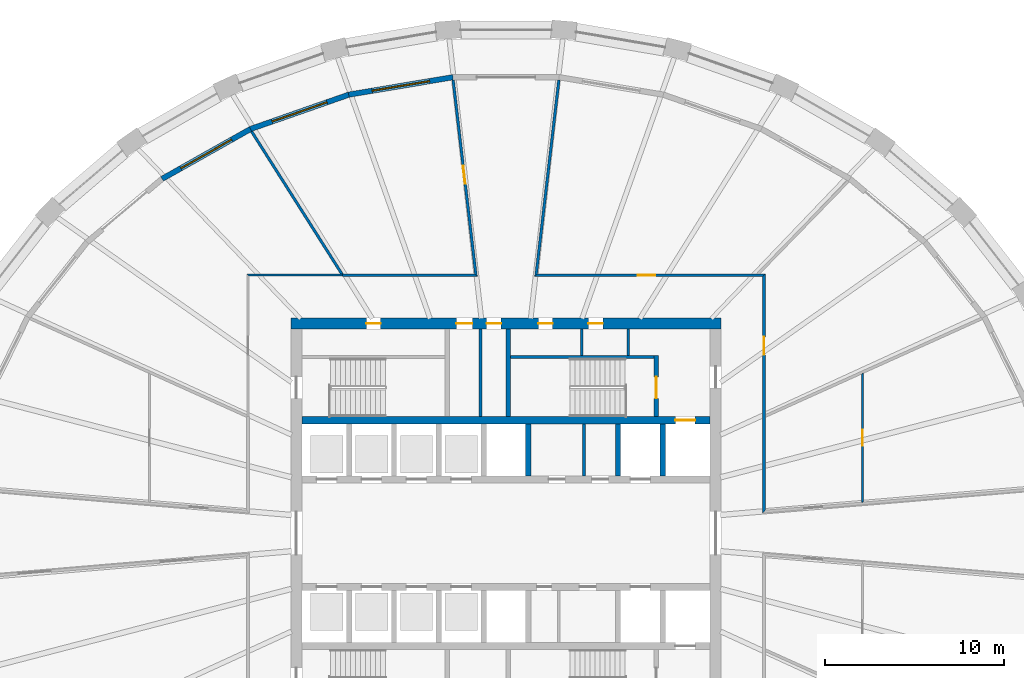
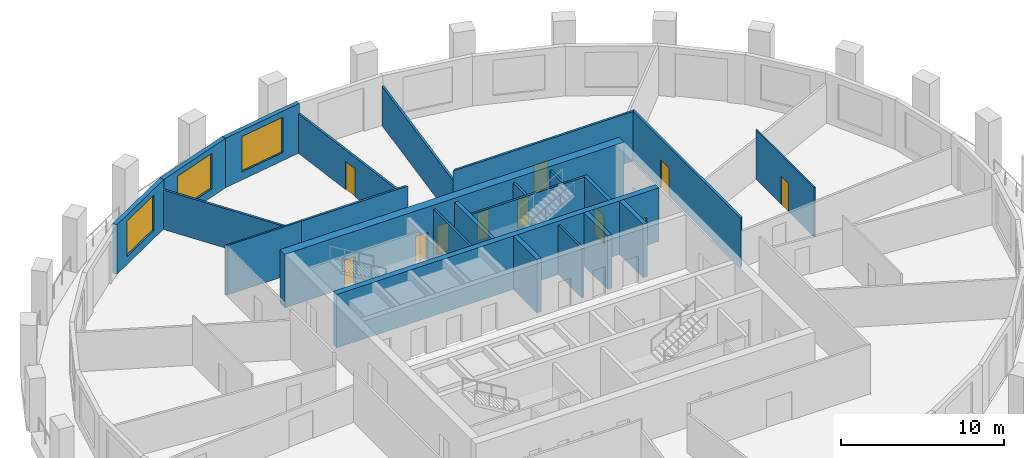
# One storey, part 6 of 10: 23 walls, 11 doors, 3 windows, 14 openings.
"""IFC4 building model written with IfcOpenShell, lengths in metres."""

from ifc_helpers import new_model, si_unit, direction, frame, frame_2d, origin, place, context, subcontext, project, spatial, polyline, rectangle, outline, extrude, material, layer, layer_set, type_object, element, fill, save


model = new_model("IFC4")

# Units and contexts
model_context = context("Model", 3, precision=1e-05, world=origin(), true_north=direction((0.0, 1.0)))
body_context = subcontext(model_context, "Body", "Model", "MODEL_VIEW")
ifc_project = project(units=[si_unit("LENGTHUNIT", "METRE"), si_unit("AREAUNIT", "SQUARE_METRE"), si_unit("VOLUMEUNIT", "CUBIC_METRE"), si_unit("PLANEANGLEUNIT", "RADIAN"), si_unit("MASSUNIT", "GRAM", prefix="KILO")], contexts=[model_context])

# Site, building, storey
site_placement = place(None, origin())
site = spatial("IfcSite", under=ifc_project, at=site_placement, CompositionType="ELEMENT")
building_placement = place(site_placement, origin())
building = spatial("IfcBuilding", under=site, at=building_placement, Name="Halqa Exchange Tower", CompositionType="ELEMENT")
storey_placement = place(building_placement, frame((0.0, 0.0, 178.89990234375)))
storey = spatial("IfcBuildingStorey", under=building, at=storey_placement, Name="L40", CompositionType="ELEMENT", Elevation=178.89990234375)

# Walls
ifc_material_1 = material(Name="Fire-rated gypsum board")
ifc_layer_1 = layer(ifc_material_1, 0.14990234375)
ifc_layer_set_1 = layer_set([ifc_layer_1], Name="Fire-rated gypsum board")
wall_type_1 = type_object("IfcWallType", Name="Fire partition EI 60 150", PredefinedType="PARTITIONING", material=ifc_layer_set_1)
wall_1_placement = place(storey_placement, frame((-9.14208984375, 14.43505859375, 0.0), z_axis=(0.0, 0.0, 1.0), x_axis=(-0.535245013247, 0.844696854377, 0.0)))
element("IfcWall", 1, at=wall_1_placement, inside=storey, type_object=wall_type_1, Name="L40-PWL-009", PredefinedType="PARTITIONING", context=body_context, shape_type="SweptSolid", body=[
    extrude(outline(polyline([(0.0, -0.074951171875), (1.88623046875, -0.074951171875), (3.772705078125, -0.074951171875), (5.658935546875, -0.074951171875), (7.545166015625, -0.074951171875), (9.431640625, -0.074951171875), (9.44873046875, -0.000732421875), (9.452392578125, 0.068603515625), (9.452392578125, 0.074951171875), (7.577392578125, 0.074951171875), (5.7021484375, 0.074951171875), (3.8271484375, 0.074951171875), (1.9521484375, 0.074951171875), (0.076904296875, 0.074951171875), (0.00927734375, -0.031982421875), (0.02197265625, -0.0400390625), (0.0, -0.07470703125), (0.0, -0.074951171875)])), origin(), (0.0, 0.0, 1.0), 2.947021484375),
])
wall_2_placement = place(storey_placement, frame((-9.1201171875, 14.39990234375, 0.0), z_axis=(0.0, 0.0, 1.0), x_axis=(1.0, 0.0, 0.0)))
element("IfcWall", 2, at=wall_2_placement, inside=storey, type_object=wall_type_1, Name="L40-PWL-010", PredefinedType="PARTITIONING", context=body_context, shape_type="SweptSolid", body=[
    extrude(outline(polyline([(7.5244140625, -0.074951171875), (7.5244140625, -0.074951171875), (7.35595703125, 0.074951171875), (5.51708984375, 0.074951171875), (3.677978515625, 0.074951171875), (1.839111328125, 0.074951171875), (0.0, 0.074951171875), (0.0, -0.074951171875), (1.881103515625, -0.074951171875), (3.76220703125, -0.074951171875), (5.643310546875, -0.074951171875), (7.5244140625, -0.074951171875)])), origin(), (0.0, 0.0, 1.0), 3.7001953125),
])

# Wall, opening, door
wall_3_placement = place(storey_placement, frame((-1.670166015625, 14.31640625, 0.0), z_axis=(0.0, 0.0, 1.0), x_axis=(-0.116172056535, 0.993229104125, 0.0)))
wall_3 = element("IfcWall", 3, at=wall_3_placement, inside=storey, type_object=wall_type_1, Name="L40-PWL-013", PredefinedType="PARTITIONING", context=body_context, shape_type="SweptSolid", body=[
    extrude(outline(polyline([(0.0, -0.074951171875), (1.8408203125, -0.074951171875), (3.681884765625, -0.074951171875), (5.522705078125, -0.074951171875), (7.363525390625, -0.074951171875), (9.20458984375, -0.074951171875), (11.04541015625, -0.074951171875), (11.0498046875, -0.037109375), (11.0498046875, 0.074951171875), (9.236328125, 0.074951171875), (7.422607421875, 0.074951171875), (5.609130859375, 0.074951171875), (3.79541015625, 0.074951171875), (1.98193359375, 0.074951171875), (0.16845703125, 0.074951171875), (0.084228515625, 0.0), (0.0, -0.074951171875), (0.0, -0.074951171875)])), origin(), (0.0, 0.0, 1.0), 2.947021484375),
])
opening_1_placement = place(wall_3_placement, frame((5.222412109375, 0.0, 0.0)))
opening_1 = element("IfcOpeningElement", 4, at=opening_1_placement, cuts=wall_3, Name="Opening 12-01", PredefinedType="OPENING", context=body_context, shape_type="SweptSolid", body=[
    extrude(rectangle(XDim=1.0, YDim=2.10009765625, at=frame_2d((0.5, 1.050048828125))), frame((0.0, 0.0869140625, 0.0), z_axis=(0.0, -1.0, 0.0), x_axis=(1.0, 0.0, 0.0)), (0.0, 0.0, 1.0), 0.173828125),
])
ifc_material_2 = material(Name="Steel fire door leaf", Category="steel")
door_type_1 = type_object("IfcDoorType", Name="Fire door FD30S 1000 x 2100", OperationType="SINGLE_SWING_LEFT", PredefinedType="DOOR", material=ifc_material_2)
door_1_placement = place(opening_1_placement, origin())
door_1 = element("IfcDoor", 5, at=door_1_placement, inside=storey, type_object=door_type_1, Name="L40-IDR-001", OperationType="SINGLE_SWING_LEFT", OverallHeight=2.10009765625, OverallWidth=1.0, PredefinedType="DOOR", context=body_context, shape_type="SweptSolid", body=[
    extrude(rectangle(XDim=1.0, YDim=2.10009765625, at=frame_2d((0.5, 1.050048828125))), frame((0.0, 0.02490234375, 0.0), z_axis=(0.0, -1.0, 0.0), x_axis=(1.0, 0.0, 0.0)), (0.0, 0.0, 1.0), 0.050048828125),
])
fill(opening_1, door_1)

wall_4_placement = place(storey_placement, frame((1.595703125, 14.39990234375, 0.0), z_axis=(0.0, 0.0, 1.0), x_axis=(1.0, 0.0, 0.0)))
wall_4 = element("IfcWall", 6, at=wall_4_placement, inside=storey, type_object=wall_type_1, Name="L40-PWL-015", PredefinedType="PARTITIONING", context=body_context, shape_type="SweptSolid", body=[
    extrude(outline(polyline([(0.0, -0.074951171875), (1.818359375, -0.074951171875), (3.636962890625, -0.074951171875), (5.455322265625, -0.074951171875), (7.27392578125, -0.074951171875), (9.09228515625, -0.074951171875), (10.910888671875, -0.074951171875), (12.729248046875, -0.074951171875), (12.879150390625, 0.074951171875), (11.063232421875, 0.074951171875), (9.24755859375, 0.074951171875), (7.431640625, 0.074951171875), (5.615966796875, 0.074951171875), (3.800048828125, 0.074951171875), (1.984130859375, 0.074951171875), (0.16845703125, 0.074951171875), (0.0, -0.074951171875), (0.0, -0.074951171875)])), origin(), (0.0, 0.0, 1.0), 3.7001953125),
])
opening_2_placement = place(wall_4_placement, frame((5.744384765625, 0.0, 0.0)))
opening_2 = element("IfcOpeningElement", 7, at=opening_2_placement, cuts=wall_4, Name="Opening 12-10", PredefinedType="OPENING", context=body_context, shape_type="SweptSolid", body=[
    extrude(rectangle(XDim=1.0, YDim=2.10009765625, at=frame_2d((0.5, 1.050048828125))), frame((0.0, 0.0869140625, 0.0), z_axis=(0.0, -1.0, 0.0), x_axis=(1.0, 0.0, 0.0)), (0.0, 0.0, 1.0), 0.173828125),
])
door_2_placement = place(opening_2_placement, origin())
door_2 = element("IfcDoor", 8, at=door_2_placement, inside=storey, type_object=door_type_1, Name="L40-IDR-010", OperationType="SINGLE_SWING_RIGHT", OverallHeight=2.10009765625, OverallWidth=1.0, PredefinedType="DOOR", context=body_context, shape_type="SweptSolid", body=[
    extrude(rectangle(XDim=1.0, YDim=2.10009765625, at=frame_2d((0.5, 1.050048828125))), frame((0.0, 0.02490234375, 0.0), z_axis=(0.0, -1.0, 0.0), x_axis=(1.0, 0.0, 0.0)), (0.0, 0.0, 1.0), 0.050048828125),
])
fill(opening_2, door_2)

# Wall
wall_5_placement = place(storey_placement, frame((2.953857421875, 25.29150390625, 0.0), z_axis=(0.0, 0.0, 1.0), x_axis=(-0.116172056535, -0.993229104125, 0.0)))
element("IfcWall", 9, at=wall_5_placement, inside=storey, type_object=wall_type_1, Name="L40-PWL-016", PredefinedType="PARTITIONING", context=body_context, shape_type="SweptSolid", body=[
    extrude(outline(polyline([(11.0498046875, -0.074951171875), (11.0498046875, -0.07470703125), (10.9658203125, 0.0), (10.881591796875, 0.074951171875), (9.06787109375, 0.074951171875), (7.25439453125, 0.074951171875), (5.440673828125, 0.074951171875), (3.627197265625, 0.074951171875), (1.8134765625, 0.074951171875), (0.0, 0.074951171875), (0.0, -0.0361328125), (0.004638671875, -0.074951171875), (1.845458984375, -0.074951171875), (3.686279296875, -0.074951171875), (5.527099609375, -0.074951171875), (7.3681640625, -0.074951171875), (9.208984375, -0.074951171875), (11.0498046875, -0.074951171875)])), origin(), (0.0, 0.0, 1.0), 2.947021484375),
])

# Wall, opening, door
wall_6_placement = place(storey_placement, frame((14.39990234375, 1.118408203125, 0.0), z_axis=(0.0, 0.0, 1.0), x_axis=(0.0, 1.0, 0.0)))
wall_6 = element("IfcWall", 10, at=wall_6_placement, inside=storey, type_object=wall_type_1, Name="L40-PWL-022", PredefinedType="PARTITIONING", context=body_context, shape_type="SweptSolid", body=[
    extrude(outline(polyline([(0.162841796875, -0.074951171875), (2.047607421875, -0.074951171875), (3.9326171875, -0.074951171875), (5.8173828125, -0.074951171875), (7.7021484375, -0.074951171875), (9.5869140625, -0.074951171875), (11.4716796875, -0.074951171875), (13.3564453125, -0.074951171875), (13.20654296875, 0.074951171875), (11.31982421875, 0.074951171875), (9.433349609375, 0.074951171875), (7.546630859375, 0.074951171875), (5.659912109375, 0.074951171875), (3.7734375, 0.074951171875), (1.88671875, 0.074951171875), (0.0, 0.074951171875), (0.162841796875, -0.074951171875)])), origin(), (0.0, 0.0, 1.0), 3.7001953125),
])
opening_3_placement = place(wall_6_placement, frame((8.83154296875, 0.0, 0.0)))
opening_3 = element("IfcOpeningElement", 11, at=opening_3_placement, cuts=wall_6, Name="Opening 12-09", PredefinedType="OPENING", context=body_context, shape_type="SweptSolid", body=[
    extrude(rectangle(XDim=1.0, YDim=2.10009765625, at=frame_2d((0.5, 1.050048828125))), frame((0.0, 0.0869140625, 0.0), z_axis=(0.0, -1.0, 0.0), x_axis=(1.0, 0.0, 0.0)), (0.0, 0.0, 1.0), 0.173828125),
])
door_3_placement = place(opening_3_placement, frame((1.0, 0.0, 0.0), z_axis=(0.0, 0.0, 1.0), x_axis=(-1.0, 0.0, 0.0)))
door_3 = element("IfcDoor", 12, at=door_3_placement, inside=storey, type_object=door_type_1, Name="L40-IDR-009", OperationType="SINGLE_SWING_LEFT", OverallHeight=2.10009765625, OverallWidth=1.0, PredefinedType="DOOR", context=body_context, shape_type="SweptSolid", body=[
    extrude(rectangle(XDim=1.0, YDim=2.10009765625, at=frame_2d((0.5, 1.050048828125))), frame((0.0, 0.02490234375, 0.0), z_axis=(0.0, -1.0, 0.0), x_axis=(1.0, 0.0, 0.0)), (0.0, 0.0, 1.0), 0.050048828125),
])
fill(opening_3, door_3)

# Wall
ifc_material_3 = material(Name="Fire-rated glazing", Category="glass")
ifc_layer_2 = layer(ifc_material_3, 0.1201171875)
ifc_layer_set_2 = layer_set([ifc_layer_2], Name="Fire-rated glazing")
wall_type_2 = type_object("IfcWallType", Name="Glazed fire partition EI 60 120", PredefinedType="PARTITIONING", material=ifc_layer_set_2)
wall_7_placement = place(storey_placement, frame((-14.4599609375, 14.39990234375, 0.0), z_axis=(0.0, 0.0, 1.0), x_axis=(1.0, 0.0, 0.0)))
element("IfcWall", 13, at=wall_7_placement, inside=storey, type_object=wall_type_2, Name="L40-PWL-008", PredefinedType="PARTITIONING", context=body_context, shape_type="SweptSolid", body=[
    extrude(outline(polyline([(5.33984375, 0.06005859375), (3.559814453125, 0.06005859375), (1.780029296875, 0.06005859375), (0.0, 0.06005859375), (0.1201171875, -0.06005859375), (1.860107421875, -0.06005859375), (3.599853515625, -0.06005859375), (5.33984375, -0.06005859375), (5.33984375, 0.06005859375)])), origin(), (0.0, 0.0, 1.0), 3.7001953125),
])

# Wall, opening, door
ifc_material_4 = material(Name="Gypsum board")
ifc_layer_3 = layer(ifc_material_4, 0.10009765625)
ifc_layer_set_3 = layer_set([ifc_layer_3], Name="Gypsum board")
wall_type_3 = type_object("IfcWallType", Name="Partition 100 gypsum", PredefinedType="PARTITIONING", material=ifc_layer_set_3)
wall_8_placement = place(storey_placement, frame((19.89990234375, 8.919921875, 0.0), z_axis=(0.0, 0.0, 1.0), x_axis=(0.0, -1.0, 0.0)))
wall_8 = element("IfcWall", 14, at=wall_8_placement, inside=storey, type_object=wall_type_3, Name="L40-PWL-027", PredefinedType="PARTITIONING", context=body_context, shape_type="SweptSolid", body=[
    extrude(outline(polyline([(7.19140625, -0.050048828125), (7.19140625, -0.0478515625), (7.183349609375, 0.050048828125), (5.387451171875, 0.050048828125), (3.591552734375, 0.050048828125), (1.7958984375, 0.050048828125), (0.0, 0.050048828125), (0.0, 0.04931640625), (0.044921875, -0.050048828125), (1.83154296875, -0.050048828125), (3.6181640625, -0.050048828125), (5.40478515625, -0.050048828125), (7.19140625, -0.050048828125)])), origin(), (0.0, 0.0, 1.0), 3.7001953125),
])
opening_4_placement = place(wall_8_placement, frame((3.14990234375, 0.0, 0.0)))
opening_4 = element("IfcOpeningElement", 15, at=opening_4_placement, cuts=wall_8, Name="Opening 12-13", PredefinedType="OPENING", context=body_context, shape_type="SweptSolid", body=[
    extrude(rectangle(XDim=0.89990234375, YDim=2.10009765625, at=frame_2d((0.449951171875, 1.050048828125))), frame((0.0, 0.06201171875, 0.0), z_axis=(0.0, -1.0, 0.0), x_axis=(1.0, 0.0, 0.0)), (0.0, 0.0, 1.0), 0.1240234375),
])
ifc_material_5 = material(Name="Timber door leaf", Category="wood")
door_type_2 = type_object("IfcDoorType", Name="Door 900 x 2100", OperationType="SINGLE_SWING_LEFT", PredefinedType="DOOR", material=ifc_material_5)
door_4_placement = place(opening_4_placement, frame((0.89990234375, 0.0, 0.0), z_axis=(0.0, 0.0, 1.0), x_axis=(-1.0, 0.0, 0.0)))
door_4 = element("IfcDoor", 16, at=door_4_placement, inside=storey, type_object=door_type_2, Name="L40-IDR-013", OperationType="SINGLE_SWING_LEFT", OverallHeight=2.10009765625, OverallWidth=0.89990234375, PredefinedType="DOOR", context=body_context, shape_type="SweptSolid", body=[
    extrude(rectangle(XDim=0.89990234375, YDim=2.10009765625, at=frame_2d((0.449951171875, 1.050048828125))), frame((0.0, 0.02490234375, 0.0), z_axis=(0.0, -1.0, 0.0), x_axis=(1.0, 0.0, 0.0)), (0.0, 0.0, 1.0), 0.050048828125),
])
fill(opening_4, door_4)

# Walls
ifc_layer_4 = layer(ifc_material_4, 0.14990234375)
ifc_layer_set_4 = layer_set([ifc_layer_4], Name="Gypsum board")
wall_type_4 = type_object("IfcWallType", Name="Penthouse riser wall 150 gypsum", PredefinedType="PARTITIONING", material=ifc_layer_set_4)
wall_9_placement = place(storey_placement, frame((-1.425048828125, 6.5, 0.0), z_axis=(0.0, 0.0, 1.0), x_axis=(0.0, 1.0, 0.0)))
element("IfcWall", 17, at=wall_9_placement, inside=storey, type_object=wall_type_4, Name="Partition W1.425 N", PredefinedType="PARTITIONING", context=body_context, shape_type="SweptSolid", body=[
    extrude(rectangle(XDim=4.89990234375, YDim=0.14990234375, at=frame_2d((2.449951171875, 0.0))), origin(), (0.0, 0.0, 1.0), 3.7001953125),
])
for number, where, z_axis, x_axis, name in (
    (18, (4.22509765625, 9.89990234375, 0.0), (0.0, 0.0, 1.0), (0.0, 1.0, 0.0), "Partition E4.225 N"),
    (19, (6.824951171875, 9.89990234375, 0.0), (0.0, 0.0, 1.0), (0.0, 1.0, 0.0), "Firefighting lobby west wall N"),
):
    element("IfcWall", number, at=place(storey_placement, frame(where, z_axis=z_axis, x_axis=x_axis)), inside=storey, type_object=wall_type_4, Name=name, PredefinedType="PARTITIONING", context=body_context, shape_type="SweptSolid", body=[
        extrude(rectangle(XDim=1.5, YDim=0.14990234375, at=frame_2d((0.75, 0.0))), origin(), (0.0, 0.0, 1.0), 3.7001953125),
    ])
wall_10_placement = place(storey_placement, frame((4.35009765625, 3.199951171875, 0.0), z_axis=(0.0, 0.0, 1.0), x_axis=(0.0, 1.0, 0.0)))
element("IfcWall", 20, at=wall_10_placement, inside=storey, type_object=wall_type_4, Name="Freed bay partition NE4.350", PredefinedType="PARTITIONING", context=body_context, shape_type="SweptSolid", body=[
    extrude(rectangle(XDim=2.900146484375, YDim=0.14990234375, at=frame_2d((1.4501953125, 0.0))), origin(), (0.0, 0.0, 1.0), 3.7001953125),
])
ifc_material_6 = material(Name="Concrete C60/75", Category="concrete")
ifc_layer_5 = layer(ifc_material_6, 0.300048828125)
ifc_layer_set_5 = layer_set([ifc_layer_5], Name="Concrete C60/75")
wall_type_5 = type_object("IfcWallType", Name="RC core wall 300", PredefinedType="SHEAR", material=ifc_layer_set_5)
for number, where, z_axis, x_axis, name in (
    (21, (1.25, 3.199951171875, 0.0), (0.0, 0.0, 1.0), (0.0, 1.0, 0.0), "Shaft divider N5"),
    (22, (6.25, 3.199951171875, 0.0), (0.0, 0.0, 1.0), (0.0, 1.0, 0.0), "Shaft divider N7"),
    (23, (8.75, 3.199951171875, 0.0), (0.0, 0.0, 1.0), (0.0, 1.0, 0.0), "Shaft divider N8"),
):
    element("IfcWall", number, at=place(storey_placement, frame(where, z_axis=z_axis, x_axis=x_axis)), inside=storey, type_object=wall_type_5, Name=name, PredefinedType="SHEAR", context=body_context, shape_type="SweptSolid", body=[
        extrude(rectangle(XDim=2.900146484375, YDim=0.300048828125, at=frame_2d((1.4501953125, 0.0))), origin(), (0.0, 0.0, 1.0), 4.0),
    ])

# Wall, opening, door
ifc_material_7 = material(Name="Concrete C70/85", Category="concrete")
ifc_layer_6 = layer(ifc_material_7, 0.39990234375)
ifc_layer_set_6 = layer_set([ifc_layer_6], Name="Concrete C70/85")
wall_type_6 = type_object("IfcWallType", Name="RC core wall 400 C70/85", PredefinedType="SHEAR", material=ifc_layer_set_6)
wall_11_placement = place(storey_placement, frame((-11.39990234375, 6.300048828125, 0.0), z_axis=(0.0, 0.0, 1.0), x_axis=(1.0, 0.0, 0.0)))
wall_11 = element("IfcWall", 24, at=wall_11_placement, inside=storey, type_object=wall_type_6, Name="Lift row back wall N", PredefinedType="SHEAR", context=body_context, shape_type="SweptSolid", body=[
    extrude(rectangle(XDim=22.7998046875, YDim=0.39990234375, at=frame_2d((11.39990234375, 0.0))), origin(), (0.0, 0.0, 1.0), 4.0),
])
opening_5_placement = place(wall_11_placement, frame((20.85009765625, 0.0, 0.0)))
opening_5 = element("IfcOpeningElement", 25, at=opening_5_placement, cuts=wall_11, Name="Opening LD-FF1-T12", PredefinedType="OPENING", context=body_context, shape_type="SweptSolid", body=[
    extrude(rectangle(XDim=1.10009765625, YDim=2.10009765625, at=frame_2d((0.550048828125, 1.050048828125))), frame((0.0, 0.2119140625, 0.0), z_axis=(0.0, -1.0, 0.0), x_axis=(1.0, 0.0, 0.0)), (0.0, 0.0, 1.0), 0.423828125),
])
ifc_material_8 = material(Name="Stainless steel", Category="steel")
door_type_3 = type_object("IfcDoorType", Name="Lift landing door 1100 x 2100", OperationType="SLIDING_TO_LEFT", PredefinedType="DOOR", material=ifc_material_8)
door_5_placement = place(opening_5_placement, origin())
door_5 = element("IfcDoor", 26, at=door_5_placement, inside=storey, type_object=door_type_3, Name="Lift landing door FF1", OperationType="SLIDING_TO_LEFT", OverallHeight=2.10009765625, OverallWidth=1.10009765625, PredefinedType="DOOR", context=body_context, shape_type="SweptSolid", body=[
    extrude(rectangle(XDim=1.10009765625, YDim=2.10009765625, at=frame_2d((0.550048828125, 1.050048828125))), frame((0.0, 0.02490234375, 0.0), z_axis=(0.0, -1.0, 0.0), x_axis=(1.0, 0.0, 0.0)), (0.0, 0.0, 1.0), 0.050048828125),
])
fill(opening_5, door_5)

# Wall, openings, doors
ifc_layer_7 = layer(ifc_material_7, 0.60009765625)
ifc_layer_set_7 = layer_set([ifc_layer_7], Name="Concrete C70/85")
wall_type_7 = type_object("IfcWallType", Name="RC core wall 600 C70/85", PredefinedType="SHEAR", material=ifc_layer_set_7)
wall_12_placement = place(storey_placement, frame((-12.0, 11.699951171875, 0.0), z_axis=(0.0, 0.0, 1.0), x_axis=(1.0, 0.0, 0.0)))
wall_12 = element("IfcWall", 27, at=wall_12_placement, inside=storey, type_object=wall_type_7, Name="Core wall north", PredefinedType="SHEAR", context=body_context, shape_type="SweptSolid", body=[
    extrude(rectangle(XDim=24.0, YDim=0.60009765625, at=frame_2d((12.0, 0.0))), origin(), (0.0, 0.0, 1.0), 4.0),
])
opening_6_placement = place(wall_12_placement, frame((9.22509765625, 0.0, 0.0)))
opening_6 = element("IfcOpeningElement", 28, at=opening_6_placement, cuts=wall_12, Name="Opening T12-C21", PredefinedType="OPENING", context=body_context, shape_type="SweptSolid", body=[
    extrude(rectangle(XDim=0.89990234375, YDim=2.10009765625, at=frame_2d((0.449951171875, 1.050048828125))), frame((0.0, 0.31201171875, 0.0), z_axis=(0.0, -1.0, 0.0), x_axis=(1.0, 0.0, 0.0)), (0.0, 0.0, 1.0), 0.6240234375),
])
opening_7_placement = place(wall_12_placement, frame((10.925048828125, 0.0, 0.0)))
opening_7 = element("IfcOpeningElement", 29, at=opening_7_placement, cuts=wall_12, Name="Opening T12-C22", PredefinedType="OPENING", context=body_context, shape_type="SweptSolid", body=[
    extrude(rectangle(XDim=0.800048828125, YDim=2.10009765625, at=frame_2d((0.39990234375, 1.050048828125))), frame((0.0, 0.31201171875, 0.0), z_axis=(0.0, -1.0, 0.0), x_axis=(1.0, 0.0, 0.0)), (0.0, 0.0, 1.0), 0.6240234375),
])
opening_8_placement = place(wall_12_placement, frame((4.199951171875, 0.0, 0.0)))
opening_8 = element("IfcOpeningElement", 30, at=opening_8_placement, cuts=wall_12, Name="Opening T12-C23", PredefinedType="OPENING", context=body_context, shape_type="SweptSolid", body=[
    extrude(rectangle(XDim=0.800048828125, YDim=2.10009765625, at=frame_2d((0.39990234375, 1.050048828125))), frame((0.0, 0.31201171875, 0.0), z_axis=(0.0, -1.0, 0.0), x_axis=(1.0, 0.0, 0.0)), (0.0, 0.0, 1.0), 0.6240234375),
])
opening_9_placement = place(wall_12_placement, frame((13.800048828125, 0.0, 0.0)))
opening_9 = element("IfcOpeningElement", 31, at=opening_9_placement, cuts=wall_12, Name="Opening T12-C24", PredefinedType="OPENING", context=body_context, shape_type="SweptSolid", body=[
    extrude(rectangle(XDim=0.800048828125, YDim=2.10009765625, at=frame_2d((0.39990234375, 1.050048828125))), frame((0.0, 0.31201171875, 0.0), z_axis=(0.0, -1.0, 0.0), x_axis=(1.0, 0.0, 0.0)), (0.0, 0.0, 1.0), 0.6240234375),
])
opening_10_placement = place(wall_12_placement, frame((16.60009765625, 0.0, 0.0)))
opening_10 = element("IfcOpeningElement", 32, at=opening_10_placement, cuts=wall_12, Name="Opening T12-C25", PredefinedType="OPENING", context=body_context, shape_type="SweptSolid", body=[
    extrude(rectangle(XDim=0.800048828125, YDim=2.10009765625, at=frame_2d((0.39990234375, 1.050048828125))), frame((0.0, 0.31201171875, 0.0), z_axis=(0.0, -1.0, 0.0), x_axis=(1.0, 0.0, 0.0)), (0.0, 0.0, 1.0), 0.6240234375),
])
ifc_material_9 = material(Name="Timber fire door leaf", Category="wood")
door_type_4 = type_object("IfcDoorType", Name="Core room door FD30 900 x 2100", OperationType="SINGLE_SWING_LEFT", PredefinedType="DOOR", material=ifc_material_9)
door_6_placement = place(opening_6_placement, frame((0.89990234375, 0.0, 0.0), z_axis=(0.0, 0.0, 1.0), x_axis=(-1.0, 0.0, 0.0)))
door_6 = element("IfcDoor", 33, at=door_6_placement, inside=storey, type_object=door_type_4, Name="Core room door", OperationType="SINGLE_SWING_RIGHT", OverallHeight=2.10009765625, OverallWidth=0.89990234375, PredefinedType="DOOR", context=body_context, shape_type="SweptSolid", body=[
    extrude(rectangle(XDim=0.89990234375, YDim=2.10009765625, at=frame_2d((0.449951171875, 1.050048828125))), frame((0.0, 0.02490234375, 0.0), z_axis=(0.0, -1.0, 0.0), x_axis=(1.0, 0.0, 0.0)), (0.0, 0.0, 1.0), 0.050048828125),
])
fill(opening_6, door_6)
door_type_5 = type_object("IfcDoorType", Name="Riser door FD60 800 x 2100", OperationType="SINGLE_SWING_LEFT", PredefinedType="DOOR", material=ifc_material_2)
door_7_placement = place(opening_7_placement, frame((0.800048828125, 0.0, 0.0), z_axis=(0.0, 0.0, 1.0), x_axis=(-1.0, 0.0, 0.0)))
door_7 = element("IfcDoor", 34, at=door_7_placement, inside=storey, type_object=door_type_5, Name="Core room door", OperationType="SINGLE_SWING_RIGHT", OverallHeight=2.10009765625, OverallWidth=0.800048828125, PredefinedType="DOOR", context=body_context, shape_type="SweptSolid", body=[
    extrude(rectangle(XDim=0.800048828125, YDim=2.10009765625, at=frame_2d((0.39990234375, 1.050048828125))), frame((0.0, 0.02490234375, 0.0), z_axis=(0.0, -1.0, 0.0), x_axis=(1.0, 0.0, 0.0)), (0.0, 0.0, 1.0), 0.050048828125),
])
fill(opening_7, door_7)
door_8_placement = place(opening_8_placement, frame((0.800048828125, 0.0, 0.0), z_axis=(0.0, 0.0, 1.0), x_axis=(-1.0, 0.0, 0.0)))
door_8 = element("IfcDoor", 35, at=door_8_placement, inside=storey, type_object=door_type_5, Name="Core room door", OperationType="SINGLE_SWING_RIGHT", OverallHeight=2.10009765625, OverallWidth=0.800048828125, PredefinedType="DOOR", context=body_context, shape_type="SweptSolid", body=[
    extrude(rectangle(XDim=0.800048828125, YDim=2.10009765625, at=frame_2d((0.39990234375, 1.050048828125))), frame((0.0, 0.02490234375, 0.0), z_axis=(0.0, -1.0, 0.0), x_axis=(1.0, 0.0, 0.0)), (0.0, 0.0, 1.0), 0.050048828125),
])
fill(opening_8, door_8)
door_9_placement = place(opening_9_placement, frame((0.800048828125, 0.0, 0.0), z_axis=(0.0, 0.0, 1.0), x_axis=(-1.0, 0.0, 0.0)))
door_9 = element("IfcDoor", 36, at=door_9_placement, inside=storey, type_object=door_type_5, Name="Core room door", OperationType="SINGLE_SWING_LEFT", OverallHeight=2.10009765625, OverallWidth=0.800048828125, PredefinedType="DOOR", context=body_context, shape_type="SweptSolid", body=[
    extrude(rectangle(XDim=0.800048828125, YDim=2.10009765625, at=frame_2d((0.39990234375, 1.050048828125))), frame((0.0, 0.02490234375, 0.0), z_axis=(0.0, -1.0, 0.0), x_axis=(1.0, 0.0, 0.0)), (0.0, 0.0, 1.0), 0.050048828125),
])
fill(opening_9, door_9)
door_10_placement = place(opening_10_placement, frame((0.800048828125, 0.0, 0.0), z_axis=(0.0, 0.0, 1.0), x_axis=(-1.0, 0.0, 0.0)))
door_10 = element("IfcDoor", 37, at=door_10_placement, inside=storey, type_object=door_type_5, Name="Core room door", OperationType="SINGLE_SWING_LEFT", OverallHeight=2.10009765625, OverallWidth=0.800048828125, PredefinedType="DOOR", context=body_context, shape_type="SweptSolid", body=[
    extrude(rectangle(XDim=0.800048828125, YDim=2.10009765625, at=frame_2d((0.39990234375, 1.050048828125))), frame((0.0, 0.02490234375, 0.0), z_axis=(0.0, -1.0, 0.0), x_axis=(1.0, 0.0, 0.0)), (0.0, 0.0, 1.0), 0.050048828125),
])
fill(opening_10, door_10)

# Walls
ifc_material_10 = material(Name="Concrete C30/37", Category="concrete")
ifc_layer_8 = layer(ifc_material_10, 0.14990234375)
ifc_layer_set_8 = layer_set([ifc_layer_8], Name="Concrete C30/37")
wall_type_8 = type_object("IfcWallType", Name="RC stair wall 150 C30/37", PredefinedType="SHEAR", material=ifc_layer_set_8)
wall_13_placement = place(storey_placement, frame((0.25, 9.824951171875, 0.0), z_axis=(0.0, 0.0, 1.0), x_axis=(1.0, 0.0, 0.0)))
element("IfcWall", 38, at=wall_13_placement, inside=storey, type_object=wall_type_8, Name="Stair ST2 north wall N", PredefinedType="SHEAR", context=body_context, shape_type="SweptSolid", body=[
    extrude(rectangle(XDim=8.0, YDim=0.14990234375, at=frame_2d((4.0, 0.0))), origin(), (0.0, 0.0, 1.0), 3.7001953125),
])
ifc_layer_9 = layer(ifc_material_10, 0.25)
ifc_layer_set_9 = layer_set([ifc_layer_9], Name="Concrete C30/37")
wall_type_9 = type_object("IfcWallType", Name="RC stair wall 250 C30/37", PredefinedType="SHEAR", material=ifc_layer_set_9)
wall_14_placement = place(storey_placement, frame((0.125, 6.5, 0.0), z_axis=(0.0, 0.0, 1.0), x_axis=(0.0, 1.0, 0.0)))
element("IfcWall", 39, at=wall_14_placement, inside=storey, type_object=wall_type_9, Name="Stair ST2 west wall N", PredefinedType="SHEAR", context=body_context, shape_type="SweptSolid", body=[
    extrude(rectangle(XDim=4.89990234375, YDim=0.25, at=frame_2d((2.449951171875, 0.0))), origin(), (0.0, 0.0, 1.0), 3.7001953125),
])

# Wall, opening, door
wall_15_placement = place(storey_placement, frame((8.375, 6.5, 0.0), z_axis=(0.0, 0.0, 1.0), x_axis=(0.0, 1.0, 0.0)))
wall_15 = element("IfcWall", 40, at=wall_15_placement, inside=storey, type_object=wall_type_9, Name="Stair ST2 east wall N", PredefinedType="SHEAR", context=body_context, shape_type="SweptSolid", body=[
    extrude(rectangle(XDim=3.39990234375, YDim=0.25, at=frame_2d((1.699951171875, 0.0))), origin(), (0.0, 0.0, 1.0), 3.7001953125),
])
opening_11_placement = place(wall_15_placement, frame((1.02490234375, 0.0, 0.0)))
opening_11 = element("IfcOpeningElement", 41, at=opening_11_placement, cuts=wall_15, Name="Opening T12-C16", PredefinedType="OPENING", context=body_context, shape_type="SweptSolid", body=[
    extrude(rectangle(XDim=1.199951171875, YDim=2.10009765625, at=frame_2d((0.60009765625, 1.050048828125))), frame((0.0, 0.136962890625, 0.0), z_axis=(0.0, -1.0, 0.0), x_axis=(1.0, 0.0, 0.0)), (0.0, 0.0, 1.0), 0.27392578125),
])
door_type_6 = type_object("IfcDoorType", Name="Stair door FD90 1200 x 2100", OperationType="SINGLE_SWING_LEFT", PredefinedType="DOOR", material=ifc_material_2)
door_11_placement = place(opening_11_placement, origin())
door_11 = element("IfcDoor", 42, at=door_11_placement, inside=storey, type_object=door_type_6, Name="Stair door ST2", OperationType="SINGLE_SWING_LEFT", OverallHeight=2.10009765625, OverallWidth=1.199951171875, PredefinedType="DOOR", context=body_context, shape_type="SweptSolid", body=[
    extrude(rectangle(XDim=1.199951171875, YDim=2.10009765625, at=frame_2d((0.60009765625, 1.050048828125))), frame((0.0, 0.02490234375, 0.0), z_axis=(0.0, -1.0, 0.0), x_axis=(1.0, 0.0, 0.0)), (0.0, 0.0, 1.0), 0.050048828125),
])
fill(opening_11, door_11)

# Wall, opening, window
ifc_material_11 = material(Name="Limestone cladding", Category="masonry")
ifc_layer_10 = layer(ifc_material_11, 0.0400390625)
ifc_material_12 = material(Name="Ventilated cavity")
ifc_layer_11 = layer(ifc_material_12, 0.030029296875, ventilated=True)
ifc_material_13 = material(Name="Mineral wool insulation")
ifc_layer_12 = layer(ifc_material_13, 0.10009765625)
ifc_layer_13 = layer(ifc_material_10, 0.10009765625)
ifc_material_14 = material(Name="Internal plaster")
ifc_layer_14 = layer(ifc_material_14, 0.030029296875)
ifc_layer_set_10 = layer_set([ifc_layer_10, ifc_layer_11, ifc_layer_12, ifc_layer_13, ifc_layer_14], Name="Stone-faced insulated wall 300")
wall_type_10 = type_object("IfcWallType", Name="Stone-faced insulated wall 300", PredefinedType="STANDARD", material=ifc_layer_set_10)
wall_16_placement = place(storey_placement, frame((-2.96484375, 25.44580078125, 0.0), z_axis=(0.0, 0.0, 1.0), x_axis=(-0.986201934369, -0.165546805001, 0.0)))
wall_16 = element("IfcWall", 43, at=wall_16_placement, inside=storey, type_object=wall_type_10, Name="Glass-line wall 9", PredefinedType="STANDARD", context=body_context, shape_type="SweptSolid", body=[
    extrude(outline(polyline([(-0.012451171875, -0.14990234375), (5.91015625, -0.14990234375), (5.884765625, 0.14990234375), (0.012451171875, 0.14990234375), (-0.012451171875, -0.14990234375)])), origin(), (0.0, 0.0, 1.0), 3.7001953125),
])
opening_12_placement = place(wall_16_placement, frame((1.32373046875, 0.0, 0.60009765625)))
opening_12 = element("IfcOpeningElement", 44, at=opening_12_placement, cuts=wall_16, Name="Opening W-F3-09", PredefinedType="OPENING", context=body_context, shape_type="SweptSolid", body=[
    extrude(rectangle(XDim=3.25, YDim=2.64990234375, at=frame_2d((1.625, 1.324951171875))), frame((0.0, 0.162109375, 0.0), z_axis=(0.0, -1.0, 0.0), x_axis=(1.0, 0.0, 0.0)), (0.0, 0.0, 1.0), 0.323974609375),
])
ifc_material_15 = material(Name="Clear low-emissivity glass in aluminium frame", Category="aluminium")
window_type = type_object("IfcWindowType", Name="Fixed clear glazed window 3250 x 2650", PartitioningType="TRIPLE_PANEL_VERTICAL", PredefinedType="WINDOW", material=ifc_material_15)
window_1_placement = place(opening_12_placement, origin())
window_1 = element("IfcWindow", 45, at=window_1_placement, inside=storey, type_object=window_type, Name="Window 3", OverallHeight=2.64990234375, OverallWidth=3.25, PartitioningType="TRIPLE_PANEL_VERTICAL", PredefinedType="WINDOW", context=body_context, shape_type="SweptSolid", body=[
    extrude(rectangle(XDim=3.25, YDim=2.64990234375, at=frame_2d((1.625, 1.324951171875))), frame((0.0, 0.030029296875, 0.0), z_axis=(0.0, -1.0, 0.0), x_axis=(1.0, 0.0, 0.0)), (0.0, 0.0, 1.0), 0.06005859375),
])
fill(opening_12, window_1)

wall_17_placement = place(storey_placement, frame((-8.781005859375, 24.469482421875, 0.0), z_axis=(0.0, 0.0, 1.0), x_axis=(-0.943990724372, -0.329971987144, 0.0)))
wall_17 = element("IfcWall", 46, at=wall_17_placement, inside=storey, type_object=wall_type_10, Name="Glass-line wall 10", PredefinedType="STANDARD", context=body_context, shape_type="SweptSolid", body=[
    extrude(outline(polyline([(-0.0126953125, -0.14990234375), (5.818603515625, -0.14990234375), (5.791748046875, 0.14990234375), (0.0126953125, 0.14990234375), (-0.0126953125, -0.14990234375)])), origin(), (0.0, 0.0, 1.0), 3.7001953125),
])
opening_13_placement = place(wall_17_placement, frame((1.277587890625, 0.0, 0.60009765625)))
opening_13 = element("IfcOpeningElement", 47, at=opening_13_placement, cuts=wall_17, Name="Opening W-F3-10", PredefinedType="OPENING", context=body_context, shape_type="SweptSolid", body=[
    extrude(rectangle(XDim=3.25, YDim=2.64990234375, at=frame_2d((1.625, 1.324951171875))), frame((0.0, 0.162109375, 0.0), z_axis=(0.0, -1.0, 0.0), x_axis=(1.0, 0.0, 0.0)), (0.0, 0.0, 1.0), 0.323974609375),
])
window_2_placement = place(opening_13_placement, origin())
window_2 = element("IfcWindow", 48, at=window_2_placement, inside=storey, type_object=window_type, Name="Window 3", OverallHeight=2.64990234375, OverallWidth=3.25, PartitioningType="TRIPLE_PANEL_VERTICAL", PredefinedType="WINDOW", context=body_context, shape_type="SweptSolid", body=[
    extrude(rectangle(XDim=3.25, YDim=2.64990234375, at=frame_2d((1.625, 1.324951171875))), frame((0.0, 0.030029296875, 0.0), z_axis=(0.0, -1.0, 0.0), x_axis=(1.0, 0.0, 0.0)), (0.0, 0.0, 1.0), 0.06005859375),
])
fill(opening_13, window_2)

wall_18_placement = place(storey_placement, frame((-14.260986328125, 22.553955078125, 0.0), z_axis=(0.0, 0.0, 1.0), x_axis=(-0.871077775545, -0.491145099691, 0.0)))
wall_18 = element("IfcWall", 49, at=wall_18_placement, inside=storey, type_object=wall_type_10, Name="Glass-line wall 11", PredefinedType="STANDARD", context=body_context, shape_type="SweptSolid", body=[
    extrude(outline(polyline([(-0.013427734375, -0.14990234375), (5.677978515625, -0.14990234375), (5.649658203125, 0.14990234375), (0.013427734375, 0.14990234375), (-0.013427734375, -0.14990234375)])), origin(), (0.0, 0.0, 1.0), 3.7001953125),
])
opening_14_placement = place(wall_18_placement, frame((1.206787109375, 0.0, 0.60009765625)))
opening_14 = element("IfcOpeningElement", 50, at=opening_14_placement, cuts=wall_18, Name="Opening W-F3-11", PredefinedType="OPENING", context=body_context, shape_type="SweptSolid", body=[
    extrude(rectangle(XDim=3.25, YDim=2.64990234375, at=frame_2d((1.625, 1.324951171875))), frame((0.0, 0.162109375, 0.0), z_axis=(0.0, -1.0, 0.0), x_axis=(1.0, 0.0, 0.0)), (0.0, 0.0, 1.0), 0.323974609375),
])
window_3_placement = place(opening_14_placement, origin())
window_3 = element("IfcWindow", 51, at=window_3_placement, inside=storey, type_object=window_type, Name="Window 3", OverallHeight=2.64990234375, OverallWidth=3.25, PartitioningType="TRIPLE_PANEL_VERTICAL", PredefinedType="WINDOW", context=body_context, shape_type="SweptSolid", body=[
    extrude(rectangle(XDim=3.25, YDim=2.64990234375, at=frame_2d((1.625, 1.324951171875))), frame((0.0, 0.030029296875, 0.0), z_axis=(0.0, -1.0, 0.0), x_axis=(1.0, 0.0, 0.0)), (0.0, 0.0, 1.0), 0.06005859375),
])
fill(opening_14, window_3)

save(model, "model.ifc")
